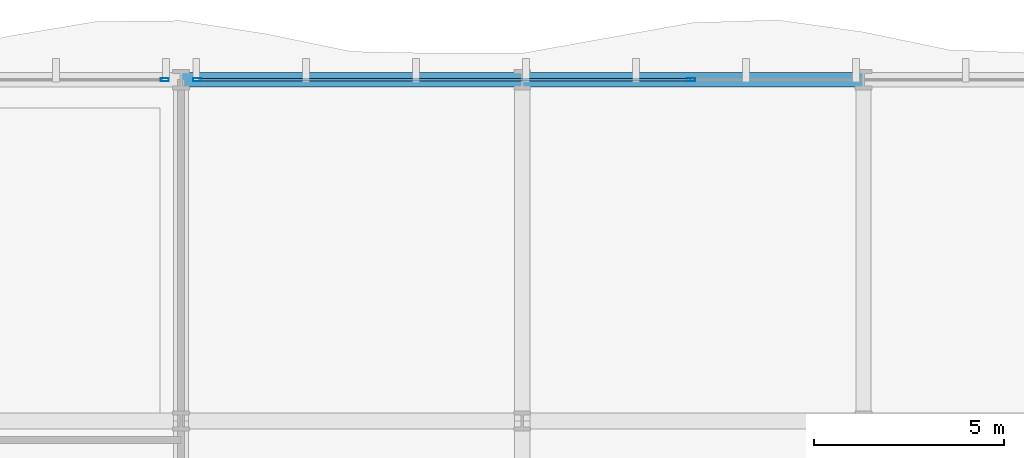
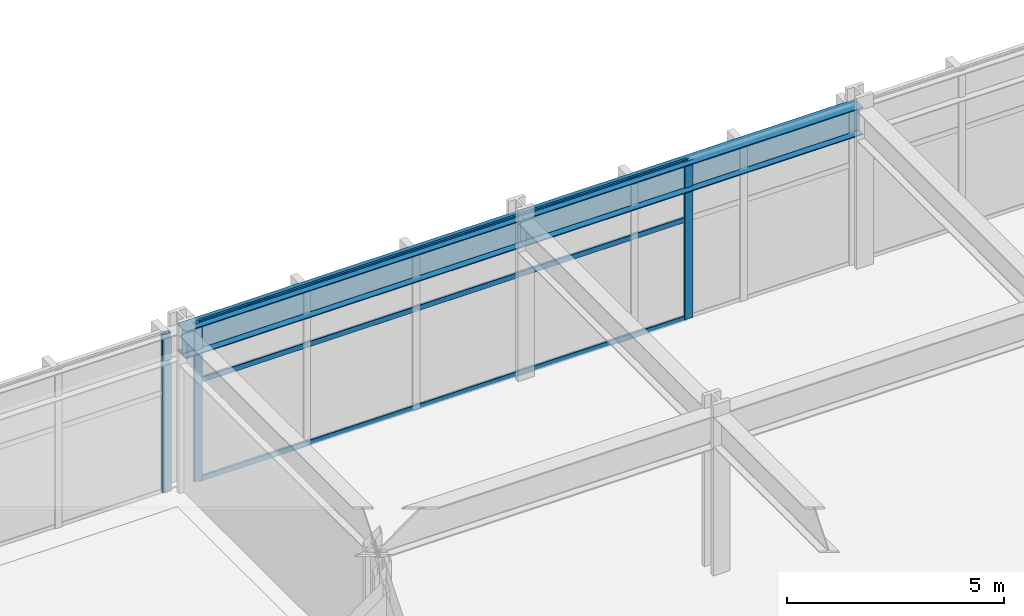
# One storey, part 19 of 31: 6 members, 2 beams, 2 elements without a shape of their own.
"""IFC4 building model written with IfcOpenShell, lengths in metres."""

from ifc_helpers import new_model, si_unit, direction, frame, origin, origin_2d, place, context, subcontext, project, spatial, hollow_rectangle, i_section, extrude, material, layer, layer_set, material_profile, profile_set, type_object, element, aggregate, save


model = new_model("IFC4")

# Units and contexts
model_context = context("Model", 3, precision=1e-05, world=origin(), true_north=direction((0.0, 1.0)))
body_context = subcontext(model_context, "Body", "Model", "MODEL_VIEW")
ifc_project = project(units=[si_unit("LENGTHUNIT", "METRE"), si_unit("AREAUNIT", "SQUARE_METRE"), si_unit("VOLUMEUNIT", "CUBIC_METRE"), si_unit("PLANEANGLEUNIT", "RADIAN"), si_unit("MASSUNIT", "GRAM", prefix="KILO")], contexts=[model_context])

# Site, building, storey
site_placement = place(None, origin())
site = spatial("IfcSite", under=ifc_project, at=site_placement, CompositionType="ELEMENT")
building_placement = place(site_placement, origin())
building = spatial("IfcBuilding", under=site, at=building_placement, Name="Solvaryn Broadcast Tower", CompositionType="ELEMENT")
storey_placement = place(building_placement, frame((0.0, 0.0, 26.0)))
storey = spatial("IfcBuildingStorey", under=building, at=storey_placement, Name="L05", CompositionType="ELEMENT", Elevation=26.0)

# Beams
ifc_material_1 = material(Name="Steel ASTM A992 Grade 50", Category="steel")
ifc_material_profile_1 = material_profile(ifc_material_1, i_section(OverallWidth=0.381103515625, OverallDepth=0.77294921875, WebThickness=0.0166015625, FlangeThickness=0.027099609375, FilletRadius=0.01806640625, at=origin_2d()))
ifc_profile_set_1 = profile_set([ifc_material_profile_1], Name="Steel ASTM A992 Grade 50")
beam_type = type_object("IfcBeamType", Name="BM-SP1-W30X173", PredefinedType="USERDEFINED", material=ifc_profile_set_1)
for number, where, z_axis, x_axis, name in (
    (1, (36.0, 54.0, 4.053466796875), (1.0, 0.0, 0.0), (0.0, 1.0, 0.0), "L05 Spandrel Beam X (36-45 @ Y=54)"),
    (2, (45.0, 54.0, 4.053466796875), (1.0, 0.0, 0.0), (0.0, 1.0, 0.0), "L05 Spandrel Beam X (45-54 @ Y=54)"),
):
    element("IfcBeam", number, at=place(storey_placement, frame(where, z_axis=z_axis, x_axis=x_axis)), inside=storey, type_object=beam_type, Name=name, ObjectType="SPANDREL", PredefinedType="USERDEFINED", context=body_context, shape_type="SweptSolid", body=[
        extrude(i_section(OverallWidth=0.381103515625, OverallDepth=0.77294921875, WebThickness=0.0166015625, FlangeThickness=0.027099609375, FilletRadius=0.01806640625, at=origin_2d()), origin(), (0.0, 0.0, 1.0), 9.0),
    ])

# Curtain wall, member
ifc_material_2 = material(Name="Aluminium and Terracotta Unitised Curtain Wall", Category="masonry")
ifc_layer = layer(ifc_material_2, 0.219970703125)
ifc_layer_set = layer_set([ifc_layer], Name="CW-SYS1-PODIUM")
curtain_wall_type = type_object("IfcCurtainWallType", Name="CW-SYS1-PODIUM", PredefinedType="NOTDEFINED", material=ifc_layer_set)
curtain_wall_1_placement = place(storey_placement, origin())
curtain_wall_1 = element("IfcCurtainWall", 3, at=curtain_wall_1_placement, inside=storey, type_object=curtain_wall_type, Name="L05 Podium Curtain Wall N1", PredefinedType="NOTDEFINED")
ifc_material_3 = material(Name="Anodised Aluminium 6063-T6", Category="aluminium")
ifc_material_profile_2 = material_profile(ifc_material_3, hollow_rectangle(XDim=0.0849609375, YDim=0.219970703125, WallThickness=0.0048828125, InnerFilletRadius=0.0048828125, OuterFilletRadius=0.010009765625, at=origin_2d()))
ifc_profile_set_2 = profile_set([ifc_material_profile_2], Name="Anodised Aluminium 6063-T6")
member_type_1 = type_object("IfcMemberType", Name="CW-MUL-220", PredefinedType="MULLION", material=ifc_profile_set_2)
member_1_placement = place(storey_placement, frame((35.570068359375, 54.0, 0.0), z_axis=(0.0, 0.0, 1.0), x_axis=(0.0, 1.0, 0.0)))
member_1 = element("IfcMember", 4, at=member_1_placement, type_object=member_type_1, Name="CWS1 mullion 3", PredefinedType="MULLION", context=body_context, shape_type="SweptSolid", body=[
    extrude(hollow_rectangle(XDim=0.0849609375, YDim=0.219970703125, WallThickness=0.0048828125, InnerFilletRadius=0.0048828125, OuterFilletRadius=0.010009765625, at=origin_2d()), origin(), (0.0, 0.0, 1.0), 4.43994140625),
])
aggregate(curtain_wall_1, [member_1])

# Curtain wall, members
curtain_wall_2_placement = place(storey_placement, origin())
curtain_wall_2 = element("IfcCurtainWall", 5, at=curtain_wall_2_placement, inside=storey, type_object=curtain_wall_type, Name="L05 Podium Curtain Wall N2", PredefinedType="NOTDEFINED")
member_2_placement = place(storey_placement, frame((36.429931640625, 54.0, 0.0), z_axis=(0.0, 0.0, 1.0), x_axis=(0.0, 1.0, 0.0)))
member_2 = element("IfcMember", 6, at=member_2_placement, type_object=member_type_1, Name="CWS1 mullion 1", PredefinedType="MULLION", context=body_context, shape_type="SweptSolid", body=[
    extrude(hollow_rectangle(XDim=0.0849609375, YDim=0.219970703125, WallThickness=0.0048828125, InnerFilletRadius=0.0048828125, OuterFilletRadius=0.010009765625, at=origin_2d()), origin(), (0.0, 0.0, 1.0), 4.43994140625),
])
member_3_placement = place(storey_placement, frame((49.449951171875, 54.0, 0.0), z_axis=(0.0, 0.0, 1.0), x_axis=(0.0, 1.0, 0.0)))
member_3 = element("IfcMember", 7, at=member_3_placement, type_object=member_type_1, Name="CWS1 mullion 2", PredefinedType="MULLION", context=body_context, shape_type="SweptSolid", body=[
    extrude(hollow_rectangle(XDim=0.0849609375, YDim=0.219970703125, WallThickness=0.0048828125, InnerFilletRadius=0.0048828125, OuterFilletRadius=0.010009765625, at=origin_2d()), origin(), (0.0, 0.0, 1.0), 4.43994140625),
])
ifc_material_4 = material(Name="Anodised Aluminium 6063-T6", Category="aluminium")
ifc_material_profile_3 = material_profile(ifc_material_4, hollow_rectangle(XDim=0.06494140625, YDim=0.14990234375, WallThickness=0.00390625, InnerFilletRadius=0.00390625, OuterFilletRadius=0.008056640625, at=origin_2d()))
ifc_profile_set_3 = profile_set([ifc_material_profile_3], Name="Anodised Aluminium 6063-T6")
member_type_2 = type_object("IfcMemberType", Name="CW-TRN-150", PredefinedType="USERDEFINED", material=ifc_profile_set_3)
member_4_placement = place(storey_placement, frame((36.4599609375, 54.0, 0.030029296875), z_axis=(1.0, 0.0, 0.0), x_axis=(0.0, 1.0, 0.0)))
member_4 = element("IfcMember", 8, at=member_4_placement, type_object=member_type_2, Name="CWS1 transom 1.1", ObjectType="TRANSOM", PredefinedType="USERDEFINED", context=body_context, shape_type="SweptSolid", body=[
    extrude(hollow_rectangle(XDim=0.06494140625, YDim=0.14990234375, WallThickness=0.00390625, InnerFilletRadius=0.00390625, OuterFilletRadius=0.008056640625, at=origin_2d()), origin(), (0.0, 0.0, 1.0), 12.9599609375),
])
member_5_placement = place(storey_placement, frame((36.4599609375, 54.0, 2.800048828125), z_axis=(1.0, 0.0, 0.0), x_axis=(0.0, 1.0, 0.0)))
member_5 = element("IfcMember", 9, at=member_5_placement, type_object=member_type_2, Name="CWS1 transom 1.2", ObjectType="TRANSOM", PredefinedType="USERDEFINED", context=body_context, shape_type="SweptSolid", body=[
    extrude(hollow_rectangle(XDim=0.06494140625, YDim=0.14990234375, WallThickness=0.00390625, InnerFilletRadius=0.00390625, OuterFilletRadius=0.008056640625, at=origin_2d()), origin(), (0.0, 0.0, 1.0), 12.9599609375),
])
member_6_placement = place(storey_placement, frame((36.4599609375, 54.0, 4.409912109375), z_axis=(1.0, 0.0, 0.0), x_axis=(0.0, 1.0, 0.0)))
member_6 = element("IfcMember", 10, at=member_6_placement, type_object=member_type_2, Name="CWS1 transom 1.3", ObjectType="TRANSOM", PredefinedType="USERDEFINED", context=body_context, shape_type="SweptSolid", body=[
    extrude(hollow_rectangle(XDim=0.06494140625, YDim=0.14990234375, WallThickness=0.00390625, InnerFilletRadius=0.00390625, OuterFilletRadius=0.008056640625, at=origin_2d()), origin(), (0.0, 0.0, 1.0), 12.9599609375),
])
aggregate(curtain_wall_2, [member_2, member_3, member_4, member_5, member_6])

save(model, "model.ifc")
